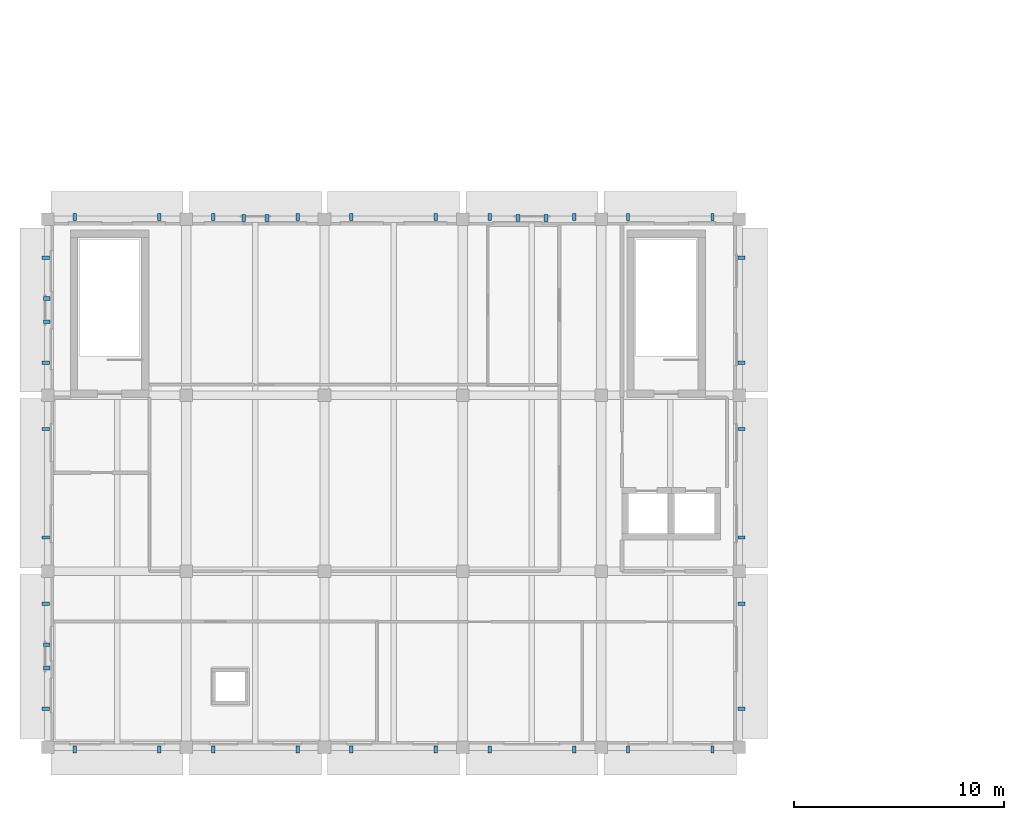
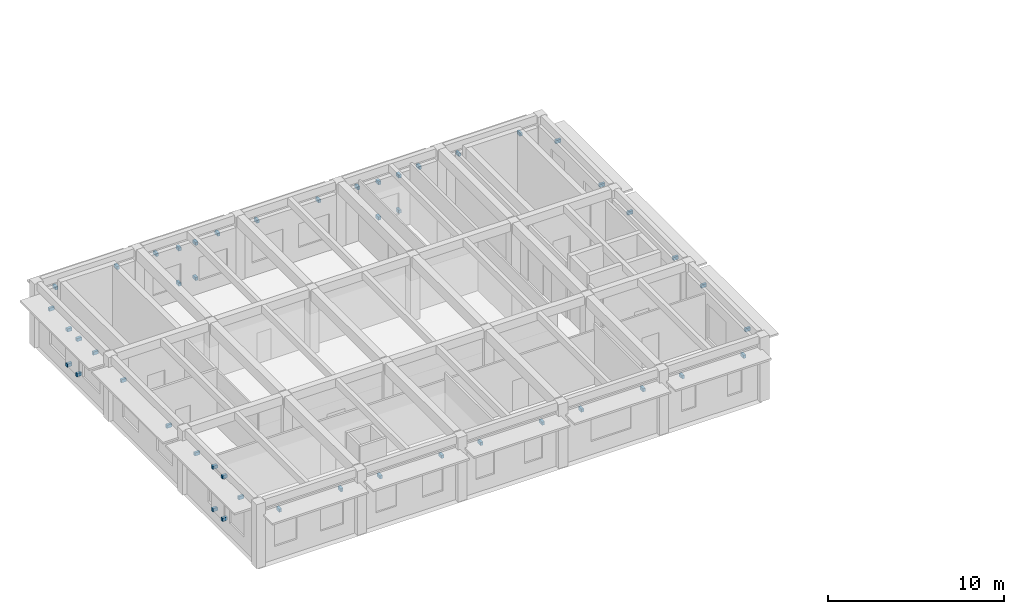
# One storey, part 15 of 20: 48 discrete accessories.
"""IFC4 building model written with IfcOpenShell, lengths in metres."""

from ifc_helpers import new_model, si_unit, direction, frame, origin, origin_2d, place, context, subcontext, project, spatial, rectangle, extrude, material, type_object, element, save


model = new_model("IFC4")

# Units and contexts
model_context = context("Model", 3, precision=1e-05, world=origin(), true_north=direction((0.0, 1.0)))
body_context = subcontext(model_context, "Body", "Model", "MODEL_VIEW")
ifc_project = project(units=[si_unit("LENGTHUNIT", "METRE"), si_unit("AREAUNIT", "SQUARE_METRE"), si_unit("VOLUMEUNIT", "CUBIC_METRE"), si_unit("PLANEANGLEUNIT", "RADIAN"), si_unit("MASSUNIT", "GRAM", prefix="KILO")], contexts=[model_context])

# Site, building, storey
site_placement = place(None, origin())
site = spatial("IfcSite", under=ifc_project, at=site_placement, CompositionType="ELEMENT")
building_placement = place(site_placement, origin())
building = spatial("IfcBuilding", under=site, at=building_placement, Name="Kolvaren Faculty of Natural Sciences", CompositionType="ELEMENT")
storey_placement = place(building_placement, frame((0.0, 0.0, 24.0)))
storey = spatial("IfcBuildingStorey", under=building, at=storey_placement, Name="L05", CompositionType="ELEMENT", Elevation=24.0)

# Discrete accessories
ifc_material = material(Name="Structural steel EN 10025-2 S355J2", Category="steel")
discrete_accessory_type = type_object("IfcDiscreteAccessoryType", Name="FacadeSupportBracket_260", PredefinedType="BRACKET", material=ifc_material)
for number, where, z_axis, x_axis, name in (
    (1, (8.083984375, 42.300048828125, 3.365234375), (0.0, 0.0, 1.0), (1.0, 0.0, 0.0), "L05 chhajja hood steel bracket"),
    (2, (12.115966796875, 42.300048828125, 3.365234375), (0.0, 0.0, 1.0), (1.0, 0.0, 0.0), "L05 chhajja hood steel bracket"),
    (3, (14.68408203125, 42.300048828125, 3.365234375), (0.0, 0.0, 1.0), (1.0, 0.0, 0.0), "L05 chhajja hood steel bracket"),
    (4, (18.716064453125, 42.300048828125, 3.365234375), (0.0, 0.0, 1.0), (1.0, 0.0, 0.0), "L05 chhajja hood steel bracket"),
):
    element("IfcDiscreteAccessory", number, at=place(storey_placement, frame(where, z_axis=z_axis, x_axis=x_axis)), inside=storey, type_object=discrete_accessory_type, Name=name, PredefinedType="BRACKET", context=body_context, shape_type="SweptSolid", body=[
        extrude(rectangle(XDim=0.159912109375, YDim=0.340087890625, at=origin_2d()), origin(), (0.0, 0.0, 1.0), 0.219970703125),
    ])
for number, where, z_axis, x_axis, name in (
    (5, (16.14892578125, 42.260009765625, 0.81982421875), (0.0, 0.0, 1.0), (1.0, 0.0, 0.0), "L05 jali screen wall bracket"),
    (6, (17.2509765625, 42.260009765625, 0.81982421875), (0.0, 0.0, 1.0), (1.0, 0.0, 0.0), "L05 jali screen wall bracket"),
    (7, (16.14892578125, 42.260009765625, 3.26025390625), (0.0, 0.0, 1.0), (1.0, 0.0, 0.0), "L05 jali screen wall bracket"),
    (8, (17.2509765625, 42.260009765625, 3.26025390625), (0.0, 0.0, 1.0), (1.0, 0.0, 0.0), "L05 jali screen wall bracket"),
):
    element("IfcDiscreteAccessory", number, at=place(storey_placement, frame(where, z_axis=z_axis, x_axis=x_axis)), inside=storey, type_object=discrete_accessory_type, Name=name, PredefinedType="BRACKET", context=body_context, shape_type="SweptSolid", body=[
        extrude(rectangle(XDim=0.179931640625, YDim=0.320068359375, at=origin_2d()), origin(), (0.0, 0.0, 1.0), 0.219970703125),
    ])
for number, where, z_axis, x_axis, name in (
    (9, (21.283935546875, 42.300048828125, 3.365234375), (0.0, 0.0, 1.0), (1.0, 0.0, 0.0), "L05 chhajja hood steel bracket"),
    (10, (25.31591796875, 42.300048828125, 3.365234375), (0.0, 0.0, 1.0), (1.0, 0.0, 0.0), "L05 chhajja hood steel bracket"),
    (11, (27.884033203125, 42.300048828125, 3.365234375), (0.0, 0.0, 1.0), (1.0, 0.0, 0.0), "L05 chhajja hood steel bracket"),
    (12, (31.916015625, 42.300048828125, 3.365234375), (0.0, 0.0, 1.0), (1.0, 0.0, 0.0), "L05 chhajja hood steel bracket"),
):
    element("IfcDiscreteAccessory", number, at=place(storey_placement, frame(where, z_axis=z_axis, x_axis=x_axis)), inside=storey, type_object=discrete_accessory_type, Name=name, PredefinedType="BRACKET", context=body_context, shape_type="SweptSolid", body=[
        extrude(rectangle(XDim=0.159912109375, YDim=0.340087890625, at=origin_2d()), origin(), (0.0, 0.0, 1.0), 0.219970703125),
    ])
for number, where, z_axis, x_axis, name in (
    (13, (29.235107421875, 42.260009765625, 0.81982421875), (0.0, 0.0, 1.0), (1.0, 0.0, 0.0), "L05 jali screen wall bracket"),
    (14, (30.56494140625, 42.260009765625, 0.81982421875), (0.0, 0.0, 1.0), (1.0, 0.0, 0.0), "L05 jali screen wall bracket"),
    (15, (29.235107421875, 42.260009765625, 3.26025390625), (0.0, 0.0, 1.0), (1.0, 0.0, 0.0), "L05 jali screen wall bracket"),
    (16, (30.56494140625, 42.260009765625, 3.26025390625), (0.0, 0.0, 1.0), (1.0, 0.0, 0.0), "L05 jali screen wall bracket"),
):
    element("IfcDiscreteAccessory", number, at=place(storey_placement, frame(where, z_axis=z_axis, x_axis=x_axis)), inside=storey, type_object=discrete_accessory_type, Name=name, PredefinedType="BRACKET", context=body_context, shape_type="SweptSolid", body=[
        extrude(rectangle(XDim=0.179931640625, YDim=0.320068359375, at=origin_2d()), origin(), (0.0, 0.0, 1.0), 0.219970703125),
    ])
for number, where, z_axis, x_axis, name in (
    (17, (34.48388671875, 42.300048828125, 3.365234375), (0.0, 0.0, 1.0), (1.0, 0.0, 0.0), "L05 chhajja hood steel bracket"),
    (18, (38.51611328125, 42.300048828125, 3.365234375), (0.0, 0.0, 1.0), (1.0, 0.0, 0.0), "L05 chhajja hood steel bracket"),
    (19, (39.89990234375, 40.3623046875, 3.51513671875), (0.0, 0.0, 1.0), (0.0, -1.0, 0.0), "L05 chhajja hood steel bracket"),
    (20, (39.89990234375, 35.357666015625, 3.51513671875), (0.0, 0.0, 1.0), (0.0, -1.0, 0.0), "L05 chhajja hood steel bracket"),
    (21, (39.89990234375, 32.19189453125, 3.51513671875), (0.0, 0.0, 1.0), (0.0, -1.0, 0.0), "L05 chhajja hood steel bracket"),
    (22, (39.89990234375, 27.008056640625, 3.51513671875), (0.0, 0.0, 1.0), (0.0, -1.0, 0.0), "L05 chhajja hood steel bracket"),
    (23, (39.89990234375, 23.84228515625, 3.51513671875), (0.0, 0.0, 1.0), (0.0, -1.0, 0.0), "L05 chhajja hood steel bracket"),
    (24, (39.89990234375, 18.837646484375, 3.51513671875), (0.0, 0.0, 1.0), (0.0, -1.0, 0.0), "L05 chhajja hood steel bracket"),
    (25, (38.51611328125, 16.89990234375, 3.365234375), (0.0, 0.0, 1.0), (-1.0, 0.0, 0.0), "L05 chhajja hood steel bracket"),
    (26, (34.48388671875, 16.89990234375, 3.365234375), (0.0, 0.0, 1.0), (-1.0, 0.0, 0.0), "L05 chhajja hood steel bracket"),
    (27, (31.916015625, 16.89990234375, 3.365234375), (0.0, 0.0, 1.0), (-1.0, 0.0, 0.0), "L05 chhajja hood steel bracket"),
    (28, (27.884033203125, 16.89990234375, 3.365234375), (0.0, 0.0, 1.0), (-1.0, 0.0, 0.0), "L05 chhajja hood steel bracket"),
    (29, (25.31591796875, 16.89990234375, 3.365234375), (0.0, 0.0, 1.0), (-1.0, 0.0, 0.0), "L05 chhajja hood steel bracket"),
    (30, (21.283935546875, 16.89990234375, 3.365234375), (0.0, 0.0, 1.0), (-1.0, 0.0, 0.0), "L05 chhajja hood steel bracket"),
    (31, (18.716064453125, 16.89990234375, 3.365234375), (0.0, 0.0, 1.0), (-1.0, 0.0, 0.0), "L05 chhajja hood steel bracket"),
    (32, (14.68408203125, 16.89990234375, 3.365234375), (0.0, 0.0, 1.0), (-1.0, 0.0, 0.0), "L05 chhajja hood steel bracket"),
    (33, (12.115966796875, 16.89990234375, 3.365234375), (0.0, 0.0, 1.0), (-1.0, 0.0, 0.0), "L05 chhajja hood steel bracket"),
    (34, (8.083984375, 16.89990234375, 3.365234375), (0.0, 0.0, 1.0), (-1.0, 0.0, 0.0), "L05 chhajja hood steel bracket"),
    (35, (6.699951171875, 18.837646484375, 3.51513671875), (0.0, 0.0, 1.0), (0.0, 1.0, 0.0), "L05 chhajja hood steel bracket"),
    (36, (6.699951171875, 23.84228515625, 3.51513671875), (0.0, 0.0, 1.0), (0.0, 1.0, 0.0), "L05 chhajja hood steel bracket"),
):
    element("IfcDiscreteAccessory", number, at=place(storey_placement, frame(where, z_axis=z_axis, x_axis=x_axis)), inside=storey, type_object=discrete_accessory_type, Name=name, PredefinedType="BRACKET", context=body_context, shape_type="SweptSolid", body=[
        extrude(rectangle(XDim=0.159912109375, YDim=0.340087890625, at=origin_2d()), origin(), (0.0, 0.0, 1.0), 0.219970703125),
    ])
for number, where, z_axis, x_axis, name in (
    (37, (6.739990234375, 20.7890625, 0.81982421875), (0.0, 0.0, 1.0), (0.0, 1.0, 0.0), "L05 jali screen wall bracket"),
    (38, (6.739990234375, 21.89111328125, 0.81982421875), (0.0, 0.0, 1.0), (0.0, 1.0, 0.0), "L05 jali screen wall bracket"),
    (39, (6.739990234375, 20.7890625, 3.76025390625), (0.0, 0.0, 1.0), (0.0, 1.0, 0.0), "L05 jali screen wall bracket"),
    (40, (6.739990234375, 21.89111328125, 3.76025390625), (0.0, 0.0, 1.0), (0.0, 1.0, 0.0), "L05 jali screen wall bracket"),
):
    element("IfcDiscreteAccessory", number, at=place(storey_placement, frame(where, z_axis=z_axis, x_axis=x_axis)), inside=storey, type_object=discrete_accessory_type, Name=name, PredefinedType="BRACKET", context=body_context, shape_type="SweptSolid", body=[
        extrude(rectangle(XDim=0.179931640625, YDim=0.320068359375, at=origin_2d()), origin(), (0.0, 0.0, 1.0), 0.219970703125),
    ])
for number, where, z_axis, x_axis, name in (
    (41, (6.699951171875, 27.008056640625, 3.51513671875), (0.0, 0.0, 1.0), (0.0, 1.0, 0.0), "L05 chhajja hood steel bracket"),
    (42, (6.699951171875, 32.19189453125, 3.51513671875), (0.0, 0.0, 1.0), (0.0, 1.0, 0.0), "L05 chhajja hood steel bracket"),
    (43, (6.699951171875, 35.357666015625, 3.51513671875), (0.0, 0.0, 1.0), (0.0, 1.0, 0.0), "L05 chhajja hood steel bracket"),
    (44, (6.699951171875, 40.3623046875, 3.51513671875), (0.0, 0.0, 1.0), (0.0, 1.0, 0.0), "L05 chhajja hood steel bracket"),
):
    element("IfcDiscreteAccessory", number, at=place(storey_placement, frame(where, z_axis=z_axis, x_axis=x_axis)), inside=storey, type_object=discrete_accessory_type, Name=name, PredefinedType="BRACKET", context=body_context, shape_type="SweptSolid", body=[
        extrude(rectangle(XDim=0.159912109375, YDim=0.340087890625, at=origin_2d()), origin(), (0.0, 0.0, 1.0), 0.219970703125),
    ])
for number, where, z_axis, x_axis, name in (
    (45, (6.739990234375, 37.30908203125, 0.81982421875), (0.0, 0.0, 1.0), (0.0, 1.0, 0.0), "L05 jali screen wall bracket"),
    (46, (6.739990234375, 38.410888671875, 0.81982421875), (0.0, 0.0, 1.0), (0.0, 1.0, 0.0), "L05 jali screen wall bracket"),
    (47, (6.739990234375, 37.30908203125, 3.26025390625), (0.0, 0.0, 1.0), (0.0, 1.0, 0.0), "L05 jali screen wall bracket"),
    (48, (6.739990234375, 38.410888671875, 3.26025390625), (0.0, 0.0, 1.0), (0.0, 1.0, 0.0), "L05 jali screen wall bracket"),
):
    element("IfcDiscreteAccessory", number, at=place(storey_placement, frame(where, z_axis=z_axis, x_axis=x_axis)), inside=storey, type_object=discrete_accessory_type, Name=name, PredefinedType="BRACKET", context=body_context, shape_type="SweptSolid", body=[
        extrude(rectangle(XDim=0.179931640625, YDim=0.320068359375, at=origin_2d()), origin(), (0.0, 0.0, 1.0), 0.219970703125),
    ])

save(model, "model.ifc")
